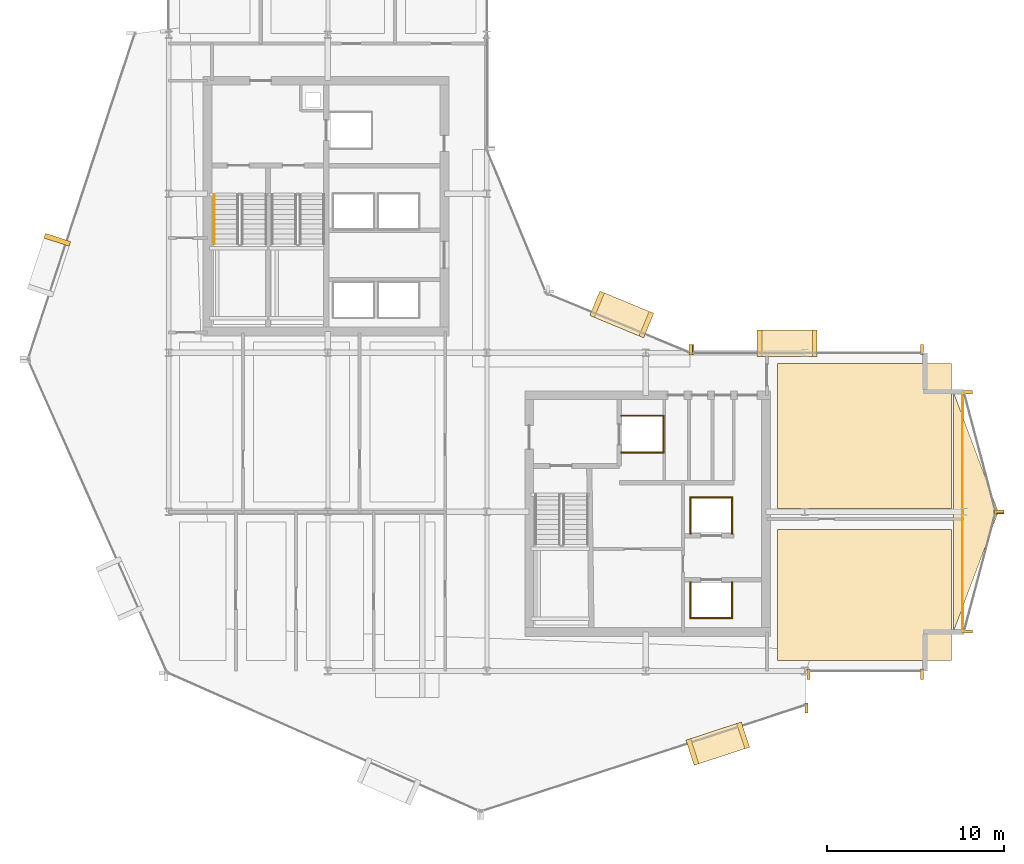
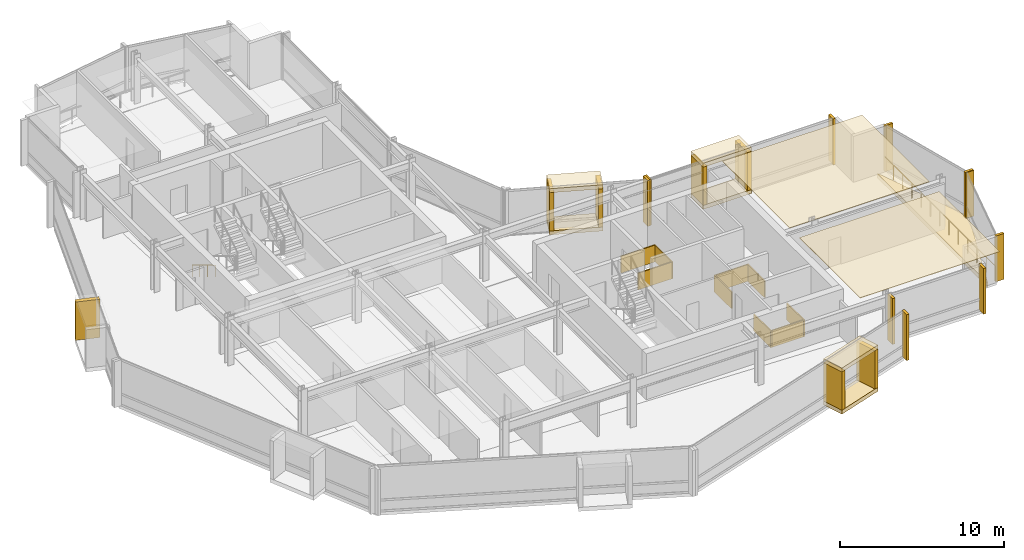
# One storey, part 27 of 28: 35 coverings, 2 railings.
"""IFC4 building model written with IfcOpenShell, lengths in metres."""

from ifc_helpers import new_model, si_unit, direction, frame, origin, origin_2d, place, context, subcontext, project, spatial, polyline, rectangle, circle, outline, extrude, material, layer, layer_set, type_object, element, save


model = new_model("IFC4")

# Units and contexts
model_context = context("Model", 3, precision=1e-05, world=origin(), true_north=direction((0.0, 1.0)))
body_context = subcontext(model_context, "Body", "Model", "MODEL_VIEW")
ifc_project = project(units=[si_unit("LENGTHUNIT", "METRE"), si_unit("AREAUNIT", "SQUARE_METRE"), si_unit("VOLUMEUNIT", "CUBIC_METRE"), si_unit("PLANEANGLEUNIT", "RADIAN"), si_unit("MASSUNIT", "GRAM", prefix="KILO")], contexts=[model_context])

# Site, building, storey
site_placement = place(None, origin())
site = spatial("IfcSite", under=ifc_project, at=site_placement, CompositionType="ELEMENT")
building_placement = place(site_placement, origin())
building = spatial("IfcBuilding", under=site, at=building_placement, Name="Solvaryn Broadcast Tower", CompositionType="ELEMENT")
storey_placement = place(building_placement, frame((0.0, 0.0, 150.699951171875)))
storey = spatial("IfcBuildingStorey", under=building, at=storey_placement, Name="L37", CompositionType="ELEMENT", Elevation=150.699951171875)

# Coverings
ifc_material_1 = material(Name="Micro-Perforated Acoustic Gypsum Ceiling", Category="concrete")
ifc_layer_1 = layer(ifc_material_1, 0.0400390625)
ifc_layer_set_1 = layer_set([ifc_layer_1], Name="CV-CEIL-ACOUSTIC")
covering_type_1 = type_object("IfcCoveringType", Name="CV-CEIL-ACOUSTIC", PredefinedType="CEILING", material=ifc_layer_set_1)
covering_1_placement = place(storey_placement, frame((0.0, 0.0, 3.380126953125)))
element("IfcCovering", 1, at=covering_1_placement, inside=storey, type_object=covering_type_1, Name="L37 Room Acoustic Ceiling 11", PredefinedType="CEILING", context=body_context, shape_type="SweptSolid", body=[
    extrude(outline(polyline([(43.449951171875, 9.60009765625), (53.300048828125, 9.60009765625), (53.300048828125, 17.0), (43.449951171875, 17.0), (43.449951171875, 9.60009765625)])), origin(), (0.0, 0.0, 1.0), 0.0400390625),
])
covering_2_placement = place(storey_placement, frame((0.0, 0.0, 3.380126953125)))
element("IfcCovering", 2, at=covering_2_placement, inside=storey, type_object=covering_type_1, Name="L37 Room Acoustic Ceiling 12", PredefinedType="CEILING", context=body_context, shape_type="SweptSolid", body=[
    extrude(outline(polyline([(43.449951171875, 18.199951171875), (53.300048828125, 18.199951171875), (53.300048828125, 26.39990234375), (43.449951171875, 26.39990234375), (43.449951171875, 18.199951171875)])), origin(), (0.0, 0.0, 1.0), 0.0400390625),
])
ifc_material_2 = material(Name="Fire-Rated Gypsum Shaftwall Liner", Category="concrete")
ifc_layer_2 = layer(ifc_material_2, 0.080078125)
ifc_layer_set_2 = layer_set([ifc_layer_2], Name="CV-SHAFT-LINER")
covering_type_2 = type_object("IfcCoveringType", Name="CV-SHAFT-LINER", PredefinedType="CLADDING", material=ifc_layer_set_2)
for number, where, z_axis, x_axis, name in (
    (3, (35.800048828125, 23.43994140625, 0.0), (0.0, 0.0, 1.0), (1.0, 0.0, 0.0), "L37 FL2 Hoistway Shaft Liner North"),
    (4, (35.800048828125, 21.360107421875, 0.0), (0.0, 0.0, 1.0), (1.0, 0.0, 0.0), "L37 FL2 Hoistway Shaft Liner South"),
):
    element("IfcCovering", number, at=place(storey_placement, frame(where, z_axis=z_axis, x_axis=x_axis)), inside=storey, type_object=covering_type_2, Name=name, PredefinedType="CLADDING", context=body_context, shape_type="SweptSolid", body=[
        extrude(rectangle(XDim=2.4599609375, YDim=0.080078125, at=origin_2d()), origin(), (0.0, 0.0, 1.0), 1.25),
    ])
covering_3_placement = place(storey_placement, frame((36.989990234375, 22.39990234375, 0.0), z_axis=(0.0, 0.0, 1.0), x_axis=(1.0, 0.0, 0.0)))
element("IfcCovering", 5, at=covering_3_placement, inside=storey, type_object=covering_type_2, Name="L37 FL2 Hoistway Shaft Liner East", PredefinedType="CLADDING", context=body_context, shape_type="SweptSolid", body=[
    extrude(rectangle(XDim=0.080078125, YDim=2.159912109375, at=origin_2d()), origin(), (0.0, 0.0, 1.0), 1.25),
])
covering_4_placement = place(storey_placement, frame((39.699951171875, 11.985107421875, 0.0), z_axis=(0.0, 0.0, 1.0), x_axis=(1.0, 0.0, 0.0)))
element("IfcCovering", 6, at=covering_4_placement, inside=storey, type_object=covering_type_2, Name="L37 PM1 Hoistway Shaft Liner South", PredefinedType="CLADDING", context=body_context, shape_type="SweptSolid", body=[
    extrude(rectangle(XDim=2.409912109375, YDim=0.080078125, at=origin_2d()), origin(), (0.0, 0.0, 1.0), 1.25),
])
for number, where, z_axis, x_axis, name in (
    (7, (40.864990234375, 13.0, 0.0), (0.0, 0.0, 1.0), (1.0, 0.0, 0.0), "L37 PM1 Hoistway Shaft Liner East"),
    (8, (38.534912109375, 13.0, 0.0), (0.0, 0.0, 1.0), (1.0, 0.0, 0.0), "L37 PM1 Hoistway Shaft Liner West"),
):
    element("IfcCovering", number, at=place(storey_placement, frame(where, z_axis=z_axis, x_axis=x_axis)), inside=storey, type_object=covering_type_2, Name=name, PredefinedType="CLADDING", context=body_context, shape_type="SweptSolid", body=[
        extrude(rectangle(XDim=0.080078125, YDim=2.110107421875, at=origin_2d()), origin(), (0.0, 0.0, 1.0), 1.25),
    ])
covering_5_placement = place(storey_placement, frame((39.699951171875, 18.81494140625, 0.0), z_axis=(0.0, 0.0, 1.0), x_axis=(1.0, 0.0, 0.0)))
element("IfcCovering", 9, at=covering_5_placement, inside=storey, type_object=covering_type_2, Name="L37 PM2 Hoistway Shaft Liner North", PredefinedType="CLADDING", context=body_context, shape_type="SweptSolid", body=[
    extrude(rectangle(XDim=2.409912109375, YDim=0.080078125, at=origin_2d()), origin(), (0.0, 0.0, 1.0), 1.25),
])
for number, where, z_axis, x_axis, name in (
    (10, (40.864990234375, 17.800048828125, 0.0), (0.0, 0.0, 1.0), (1.0, 0.0, 0.0), "L37 PM2 Hoistway Shaft Liner East"),
    (11, (38.534912109375, 17.800048828125, 0.0), (0.0, 0.0, 1.0), (1.0, 0.0, 0.0), "L37 PM2 Hoistway Shaft Liner West"),
):
    element("IfcCovering", number, at=place(storey_placement, frame(where, z_axis=z_axis, x_axis=x_axis)), inside=storey, type_object=covering_type_2, Name=name, PredefinedType="CLADDING", context=body_context, shape_type="SweptSolid", body=[
        extrude(rectangle(XDim=0.080078125, YDim=2.110107421875, at=origin_2d()), origin(), (0.0, 0.0, 1.0), 1.25),
    ])
ifc_material_3 = material(Name="Glazed Architectural Terracotta Rainscreen Cladding", Category="masonry")
ifc_layer_3 = layer(ifc_material_3, 0.280029296875)
ifc_layer_set_3 = layer_set([ifc_layer_3], Name="CV-TC-CLAD")
covering_type_3 = type_object("IfcCoveringType", Name="CV-TC-CLAD", PredefinedType="CLADDING", material=ifc_layer_set_3)
covering_6_placement = place(storey_placement, frame((2.693603515625, 33.396728515625, 0.27978515625), z_axis=(0.0, 0.0, 1.0), x_axis=(-0.311671636848, -0.950189870912, 0.0)))
element("IfcCovering", 12, at=covering_6_placement, inside=storey, type_object=covering_type_3, Name="L37 Projecting Stone Window Box Cheek 1-1", PredefinedType="CLADDING", context=body_context, shape_type="SweptSolid", body=[
    extrude(rectangle(XDim=0.280029296875, YDim=1.5, at=origin_2d()), origin(), (0.0, 0.0, 1.0), 2.860107421875),
])
for number, where, z_axis, x_axis, name in (
    (13, (40.071044921875, 4.883056640625, 3.1298828125), (0.0, 0.0, 1.0), (0.950189870912, 0.311671636848, 0.0), "L37 Projecting Stone Window Box Hood 4"),
    (14, (40.071044921875, 4.883056640625, -0.009765625), (0.0, 0.0, 1.0), (0.950189870912, 0.311671636848, 0.0), "L37 Projecting Stone Window Box Sill 4"),
):
    element("IfcCovering", number, at=place(storey_placement, frame(where, z_axis=z_axis, x_axis=x_axis)), inside=storey, type_object=covering_type_3, Name=name, PredefinedType="CLADDING", context=body_context, shape_type="SweptSolid", body=[
        extrude(rectangle(XDim=3.300048828125, YDim=1.5, at=origin_2d()), origin(), (0.0, 0.0, 1.0), 0.300048828125),
    ])
for number, where, z_axis, x_axis, name in (
    (15, (38.63623046875, 4.412353515625, 0.27978515625), (0.0, 0.0, 1.0), (0.950189870912, 0.311671636848, 0.0), "L37 Projecting Stone Window Box Cheek 4-1"),
    (16, (41.505859375, 5.353515625, 0.27978515625), (0.0, 0.0, 1.0), (0.950189870912, 0.311671636848, 0.0), "L37 Projecting Stone Window Box Cheek 4-2"),
):
    element("IfcCovering", number, at=place(storey_placement, frame(where, z_axis=z_axis, x_axis=x_axis)), inside=storey, type_object=covering_type_3, Name=name, PredefinedType="CLADDING", context=body_context, shape_type="SweptSolid", body=[
        extrude(rectangle(XDim=0.280029296875, YDim=1.5, at=origin_2d()), origin(), (0.0, 0.0, 1.0), 2.860107421875),
    ])
for number, where, z_axis, x_axis, name in (
    (17, (34.636962890625, 29.174072265625, 3.1298828125), (0.0, 0.0, 1.0), (-0.923879532511, 0.382683432365, 0.0), "L37 Projecting Stone Window Box Hood 5"),
    (18, (34.636962890625, 29.174072265625, -0.009765625), (0.0, 0.0, 1.0), (-0.923879532511, 0.382683432365, 0.0), "L37 Projecting Stone Window Box Sill 5"),
):
    element("IfcCovering", number, at=place(storey_placement, frame(where, z_axis=z_axis, x_axis=x_axis)), inside=storey, type_object=covering_type_3, Name=name, PredefinedType="CLADDING", context=body_context, shape_type="SweptSolid", body=[
        extrude(rectangle(XDim=3.300048828125, YDim=1.5, at=origin_2d()), origin(), (0.0, 0.0, 1.0), 0.300048828125),
    ])
for number, where, z_axis, x_axis, name in (
    (19, (36.031982421875, 28.59619140625, 0.27978515625), (0.0, 0.0, 1.0), (-0.923879532511, 0.382683432365, 0.0), "L37 Projecting Stone Window Box Cheek 5-1"),
    (20, (33.241943359375, 29.751953125, 0.27978515625), (0.0, 0.0, 1.0), (-0.923879532511, 0.382683432365, 0.0), "L37 Projecting Stone Window Box Cheek 5-2"),
):
    element("IfcCovering", number, at=place(storey_placement, frame(where, z_axis=z_axis, x_axis=x_axis)), inside=storey, type_object=covering_type_3, Name=name, PredefinedType="CLADDING", context=body_context, shape_type="SweptSolid", body=[
        extrude(rectangle(XDim=0.280029296875, YDim=1.5, at=origin_2d()), origin(), (0.0, 0.0, 1.0), 2.860107421875),
    ])
for number, where, z_axis, x_axis, name in (
    (21, (44.0, 27.530029296875, 3.1298828125), (0.0, 0.0, 1.0), (1.0, 0.0, 0.0), "L37 Projecting Stone Window Box Hood 6"),
    (22, (44.0, 27.530029296875, -0.009765625), (0.0, 0.0, 1.0), (1.0, 0.0, 0.0), "L37 Projecting Stone Window Box Sill 6"),
):
    element("IfcCovering", number, at=place(storey_placement, frame(where, z_axis=z_axis, x_axis=x_axis)), inside=storey, type_object=covering_type_3, Name=name, PredefinedType="CLADDING", context=body_context, shape_type="SweptSolid", body=[
        extrude(rectangle(XDim=3.39990234375, YDim=1.5, at=origin_2d()), origin(), (0.0, 0.0, 1.0), 0.300048828125),
    ])
for number, where, z_axis, x_axis, name in (
    (23, (42.43994140625, 27.530029296875, 0.27978515625), (0.0, 0.0, 1.0), (1.0, 0.0, 0.0), "L37 Projecting Stone Window Box Cheek 6-1"),
    (24, (45.56005859375, 27.530029296875, 0.27978515625), (0.0, 0.0, 1.0), (1.0, 0.0, 0.0), "L37 Projecting Stone Window Box Cheek 6-2"),
):
    element("IfcCovering", number, at=place(storey_placement, frame(where, z_axis=z_axis, x_axis=x_axis)), inside=storey, type_object=covering_type_3, Name=name, PredefinedType="CLADDING", context=body_context, shape_type="SweptSolid", body=[
        extrude(rectangle(XDim=0.280029296875, YDim=1.5, at=origin_2d()), origin(), (0.0, 0.0, 1.0), 2.860107421875),
    ])
ifc_material_4 = material(Name="Extruded Architectural Terracotta Fin", Category="masonry")
ifc_layer_4 = layer(ifc_material_4, 0.179931640625)
ifc_layer_set_4 = layer_set([ifc_layer_4], Name="CV-TC-FIN")
covering_type_4 = type_object("IfcCoveringType", Name="CV-TC-FIN", PredefinedType="USERDEFINED", material=ifc_layer_set_4)
for number, where, z_axis, x_axis, name in (
    (25, (45.0947265625, 6.898681640625, 0.0), (0.0, 0.0, 1.0), (1.0, 0.0, 0.0), "L37 Terracotta Vertical Fin FIN-L37-DR4-M01"),
    (26, (38.541259765625, 27.177978515625, 0.0), (0.0, 0.0, 1.0), (1.0, 0.0, 0.0), "L37 Terracotta Vertical Fin FIN-L37-CN1-M00"),
    (27, (45.197021484375, 8.8125, 0.0), (0.0, 0.0, 1.0), (1.0, 0.0, 0.0), "L37 Terracotta Vertical Fin FIN-L37-S2-M00"),
    (28, (51.6201171875, 8.8125, 0.0), (0.0, 0.0, 1.0), (1.0, 0.0, 0.0), "L37 Terracotta Vertical Fin FIN-L37-S2-M01"),
):
    element("IfcCovering", number, at=place(storey_placement, frame(where, z_axis=z_axis, x_axis=x_axis)), inside=storey, type_object=covering_type_4, Name=name, ObjectType="FIN", PredefinedType="USERDEFINED", context=body_context, shape_type="SweptSolid", body=[
        extrude(rectangle(XDim=0.179931640625, YDim=0.580078125, at=origin_2d()), origin(), (0.0, 0.0, 1.0), 3.419921875),
    ])
for number, where, z_axis, x_axis, name in (
    (29, (54.1953125, 24.77099609375, 0.0), (0.0, 0.0, 1.0), (1.0, 0.0, 0.0), "L37 Terracotta Vertical Fin FIN-L37-ET1-M00"),
    (30, (55.979736328125, 18.029052734375, 0.0), (0.0, 0.0, 1.0), (1.0, 0.0, 0.0), "L37 Terracotta Vertical Fin FIN-L37-ET1-M01"),
    (31, (55.979736328125, 17.970947265625, 0.0), (0.0, 0.0, 1.0), (1.0, 0.0, 0.0), "L37 Terracotta Vertical Fin FIN-L37-ET2-M00"),
    (32, (54.1953125, 11.22900390625, 0.0), (0.0, 0.0, 1.0), (1.0, 0.0, 0.0), "L37 Terracotta Vertical Fin FIN-L37-ET2-M01"),
):
    element("IfcCovering", number, at=place(storey_placement, frame(where, z_axis=z_axis, x_axis=x_axis)), inside=storey, type_object=covering_type_4, Name=name, ObjectType="FIN", PredefinedType="USERDEFINED", context=body_context, shape_type="SweptSolid", body=[
        extrude(rectangle(XDim=0.580078125, YDim=0.179931640625, at=origin_2d()), origin(), (0.0, 0.0, 1.0), 3.419921875),
    ])
for number, where, z_axis, x_axis, name in (
    (33, (38.6298828125, 27.1875, 0.0), (0.0, 0.0, 1.0), (1.0, 0.0, 0.0), "L37 Terracotta Vertical Fin FIN-L37-IH-M00"),
    (34, (51.6201171875, 27.1875, 0.0), (0.0, 0.0, 1.0), (1.0, 0.0, 0.0), "L37 Terracotta Vertical Fin FIN-L37-IH-M01"),
):
    element("IfcCovering", number, at=place(storey_placement, frame(where, z_axis=z_axis, x_axis=x_axis)), inside=storey, type_object=covering_type_4, Name=name, ObjectType="FIN", PredefinedType="USERDEFINED", context=body_context, shape_type="SweptSolid", body=[
        extrude(rectangle(XDim=0.179931640625, YDim=0.580078125, at=origin_2d()), origin(), (0.0, 0.0, 1.0), 3.419921875),
    ])
ifc_material_5 = material(Name="Sculpted Architectural Terracotta Wave Fascia", Category="masonry")
ifc_layer_5 = layer(ifc_material_5, 0.340087890625)
ifc_layer_set_5 = layer_set([ifc_layer_5], Name="CV-WAVE-TRAY")
covering_type_5 = type_object("IfcCoveringType", Name="CV-WAVE-TRAY", PredefinedType="CLADDING", material=ifc_layer_set_5)
covering_7_placement = place(storey_placement, frame((0.0, 0.0, -0.300048828125)))
element("IfcCovering", 35, at=covering_7_placement, inside=storey, type_object=covering_type_5, Name="L37 East Curved Wing Deck", PredefinedType="CLADDING", context=body_context, shape_type="SweptSolid", body=[
    extrude(outline(polyline([(53.39990234375, 11.199951171875), (55.949951171875, 18.0), (53.39990234375, 24.800048828125), (53.39990234375, 11.199951171875)])), origin(), (0.0, 0.0, 1.0), 0.330078125),
])

# Railings
ifc_material_6 = material(Name="Brushed Stainless Steel Tubular Handrail", Category="steel")
railing_type_1 = type_object("IfcRailingType", Name="RL-STAIR-HANDRAIL", PredefinedType="HANDRAIL", material=ifc_material_6)
railing_1_placement = place(storey_placement, frame((11.570068359375, 35.9599609375, 0.168212890625)))
element("IfcRailing", 36, at=railing_1_placement, inside=storey, type_object=railing_type_1, Name="L37 ST1 stair handrail 1", PredefinedType="HANDRAIL", context=body_context, shape_type="SweptSolid", body=[
    extrude(circle(Radius=0.02392578125, at=origin_2d()), frame((0.0, 0.0, 0.8759765625), z_axis=(0.0, -0.857242210791, 0.514913383045), x_axis=(1.0, 0.0, 0.0)), (0.0, 0.0, 1.0), 3.266357421875),
    extrude(circle(Radius=0.02099609375, at=origin_2d()), origin(), (0.0, 0.0, 1.0), 0.851806640625),
    extrude(circle(Radius=0.02099609375, at=origin_2d()), frame((0.0, -0.933349609375, 0.560546875)), (0.0, 0.0, 1.0), 0.851806640625),
    extrude(circle(Radius=0.02099609375, at=origin_2d()), frame((0.0, -1.86669921875, 1.121337890625)), (0.0, 0.0, 1.0), 0.851806640625),
    extrude(circle(Radius=0.02099609375, at=origin_2d()), frame((0.0, -2.800048828125, 1.681884765625)), (0.0, 0.0, 1.0), 0.851806640625),
])
ifc_material_7 = material(Name="Stainless Steel and Laminated Glass Guard", Category="steel")
railing_type_2 = type_object("IfcRailingType", Name="RL-TER-1150", PredefinedType="BALUSTRADE", material=ifc_material_7)
railing_2_placement = place(storey_placement, frame((53.919921875, 11.199951171875, 0.0)))
element("IfcRailing", 37, at=railing_2_placement, inside=storey, type_object=railing_type_2, Name="L37 East Wing Spandrel Edge Guard", PredefinedType="BALUSTRADE", context=body_context, shape_type="SweptSolid", body=[
    extrude(circle(Radius=0.02392578125, at=origin_2d()), frame((0.0, 0.0, 1.1259765625), z_axis=(0.0, 1.0, 0.0), x_axis=(-1.0, 0.0, 0.0)), (0.0, 0.0, 1.0), 13.60009765625),
    extrude(circle(Radius=0.02099609375, at=origin_2d()), origin(), (0.0, 0.0, 1.0), 1.101806640625),
    extrude(circle(Radius=0.02099609375, at=origin_2d()), frame((0.0, 1.13330078125, 0.0)), (0.0, 0.0, 1.0), 1.101806640625),
    extrude(circle(Radius=0.02099609375, at=origin_2d()), frame((0.0, 2.2666015625, 0.0)), (0.0, 0.0, 1.0), 1.101806640625),
    extrude(circle(Radius=0.02099609375, at=origin_2d()), frame((0.0, 3.39990234375, 0.0)), (0.0, 0.0, 1.0), 1.101806640625),
    extrude(circle(Radius=0.02099609375, at=origin_2d()), frame((0.0, 4.533447265625, 0.0)), (0.0, 0.0, 1.0), 1.101806640625),
    extrude(circle(Radius=0.02099609375, at=origin_2d()), frame((0.0, 5.666748046875, 0.0)), (0.0, 0.0, 1.0), 1.101806640625),
    extrude(circle(Radius=0.02099609375, at=origin_2d()), frame((0.0, 6.800048828125, 0.0)), (0.0, 0.0, 1.0), 1.101806640625),
    extrude(circle(Radius=0.02099609375, at=origin_2d()), frame((0.0, 7.933349609375, 0.0)), (0.0, 0.0, 1.0), 1.101806640625),
    extrude(circle(Radius=0.02099609375, at=origin_2d()), frame((0.0, 9.066650390625, 0.0)), (0.0, 0.0, 1.0), 1.101806640625),
    extrude(circle(Radius=0.02099609375, at=origin_2d()), frame((0.0, 10.2001953125, 0.0)), (0.0, 0.0, 1.0), 1.101806640625),
    extrude(circle(Radius=0.02099609375, at=origin_2d()), frame((0.0, 11.33349609375, 0.0)), (0.0, 0.0, 1.0), 1.101806640625),
    extrude(circle(Radius=0.02099609375, at=origin_2d()), frame((0.0, 12.466796875, 0.0)), (0.0, 0.0, 1.0), 1.101806640625),
    extrude(circle(Radius=0.02099609375, at=origin_2d()), frame((0.0, 13.60009765625, 0.0)), (0.0, 0.0, 1.0), 1.101806640625),
])

save(model, "model.ifc")
